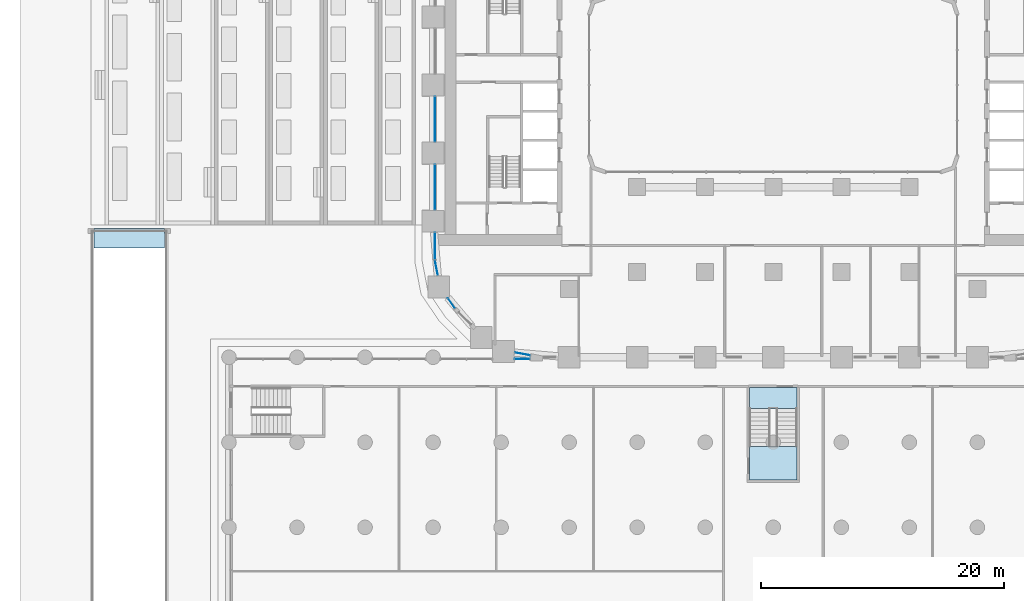
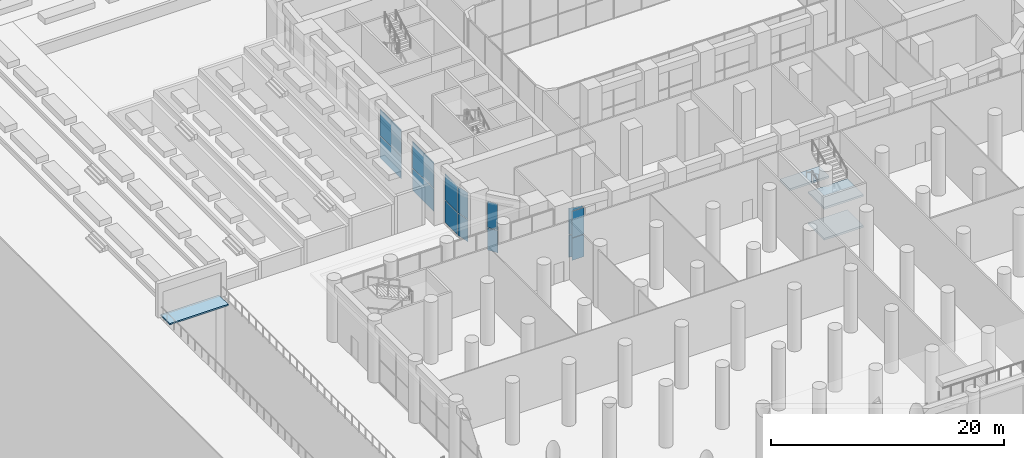
# One storey, part 23 of 51: 14 plates, 4 slabs, 8 elements without a shape of their own.
"""IFC4 building model written with IfcOpenShell, lengths in metres."""

import ifcopenshell
import ifcopenshell.guid

model = None  # the IFC model being written
_history = None  # IfcOwnerHistory: only IFC2X3 demands one
_inside = {}  # id of a spatial element -> (the spatial element, [elements in it])
_under = {}  # id of a project, library or spatial element -> (it, [spatial elements below it])
_declared = {}  # id of a project -> (the project, [libraries it declares])
_typed = {}  # id of a type object -> (the type object, [elements of that type])
_made_of = {}  # id of a material, layer set ... -> (it, [elements and type objects made of it])


def new_model(schema):
    """Start an empty IFC model of exactly this schema.

    Asked for "IFC4X3", IfcOpenShell would pick the latest addendum, in which some entities
    have other attributes; the version numbers below select the first issue.
    IFC2X3 requires an IfcOwnerHistory on every rooted entity: one is made here for all.
    """
    global model, _history
    if schema == "IFC4X3":
        model = ifcopenshell.file(schema_version=(4, 3, 0, 0))
    else:
        model = ifcopenshell.file(schema=schema)
    _inside.clear()
    _under.clear()
    _declared.clear()
    _typed.clear()
    _made_of.clear()
    _history = None
    if model.schema == "IFC2X3":
        org = make("IfcOrganization", Name="unknown")
        user = make(
            "IfcPersonAndOrganization",
            ThePerson=make("IfcPerson", FamilyName="unknown"),
            TheOrganization=org,
        )
        app = make(
            "IfcApplication",
            ApplicationDeveloper=org,
            Version="unknown",
            ApplicationFullName="unknown",
            ApplicationIdentifier="unknown",
        )
        _history = make(
            "IfcOwnerHistory",
            OwningUser=user,
            OwningApplication=app,
            ChangeAction="ADDED",
            CreationDate=0,
        )
    return model


def make(cls, **values):
    """One entity of the class cls with the attributes given. An attribute that is None is left unset."""
    return model.create_entity(
        cls, **{name: value for name, value in values.items() if value is not None}
    )


def rooted(cls, **values):
    """An entity with a GlobalId (a new one), such as an element, a storey or a relation."""
    return make(cls, GlobalId=ifcopenshell.guid.new(), OwnerHistory=_history, **values)


def si_unit(unit_type, name, prefix=None):
    """IfcSIUnit, for example si_unit("LENGTHUNIT", "METRE", prefix="MILLI")."""
    return make("IfcSIUnit", UnitType=unit_type, Prefix=prefix, Name=name)


def assignment(units):
    """IfcUnitAssignment: the units of a project."""
    return None if units is None else make("IfcUnitAssignment", Units=units)


def point(xyz):
    """IfcCartesianPoint."""
    return None if xyz is None else make("IfcCartesianPoint", Coordinates=xyz)


def direction(xyz):
    """IfcDirection."""
    return None if xyz is None else make("IfcDirection", DirectionRatios=xyz)


def frame(location, z_axis=None, x_axis=None):
    """IfcAxis2Placement3D, a coordinate frame: its origin and axes. An axis left out is left unset."""
    return make(
        "IfcAxis2Placement3D",
        Location=point(location),
        Axis=direction(z_axis),
        RefDirection=direction(x_axis),
    )


def frame_2d(location, x_axis=None):
    """IfcAxis2Placement2D, a coordinate frame in the plane: its origin and x axis."""
    return make(
        "IfcAxis2Placement2D", Location=point(location), RefDirection=direction(x_axis)
    )


def origin():
    """The frame at (0, 0, 0) with its axes left unset."""
    return frame((0.0, 0.0, 0.0))


def origin_2d():
    """The frame at (0, 0) in the plane with its x axis left unset."""
    return frame_2d((0.0, 0.0))


def place(relative_to, where):
    """IfcLocalPlacement: puts the frame where relative to a parent placement (None: the world)."""
    return make(
        "IfcLocalPlacement", PlacementRelTo=relative_to, RelativePlacement=where
    )


def context(
    kind, dimensions, precision=None, world=None, true_north=None, identifier=None
):
    """IfcGeometricRepresentationContext, for example the 3D "Model" context."""
    return make(
        "IfcGeometricRepresentationContext",
        ContextIdentifier=identifier,
        ContextType=kind,
        CoordinateSpaceDimension=dimensions,
        Precision=precision,
        WorldCoordinateSystem=world,
        TrueNorth=true_north,
    )


def subcontext(parent, identifier, kind, view, scale=None):
    """IfcGeometricRepresentationSubContext, for example "Body" below "Model"."""
    return make(
        "IfcGeometricRepresentationSubContext",
        ContextIdentifier=identifier,
        ContextType=kind,
        ParentContext=parent,
        TargetScale=scale,
        TargetView=view,
    )


def project(units=None, contexts=None):
    """IfcProject with its units and contexts."""
    return rooted(
        "IfcProject",
        Name="project",
        RepresentationContexts=contexts,
        UnitsInContext=assignment(units),
    )


def spatial(cls, under=None, at=None, **own):
    """A site, building, storey or space (cls), placed at a placement, below another one or the project."""
    s = rooted(cls, ObjectPlacement=at, **own)
    if under is not None:
        _under.setdefault(under.id(), (under, []))[1].append(s)
    return s


def polyline(points):
    """IfcPolyline through the points."""
    return make("IfcPolyline", Points=[point(p) for p in points])


def profile(cls, at=None, kind="AREA", **sizes):
    """A parametric profile (cls). Its sizes go by their IFC names, for example OverallWidth=200.0."""
    return make(cls, ProfileType=kind, Position=at, **sizes)


def rectangle(**sizes):
    """IfcRectangleProfileDef."""
    return profile("IfcRectangleProfileDef", **sizes)


def outline(outer, holes=None, kind="AREA"):
    """IfcArbitraryClosedProfileDef: a profile drawn as a closed curve; with holes, ...WithVoids."""
    if holes is None:
        return make("IfcArbitraryClosedProfileDef", ProfileType=kind, OuterCurve=outer)
    return make(
        "IfcArbitraryProfileDefWithVoids",
        ProfileType=kind,
        OuterCurve=outer,
        InnerCurves=holes,
    )


def extrude(swept, where, along, depth):
    """IfcExtrudedAreaSolid: the profile swept, set in the frame where, extruded along a direction by depth."""
    return make(
        "IfcExtrudedAreaSolid",
        SweptArea=swept,
        Position=where,
        ExtrudedDirection=direction(along),
        Depth=depth,
    )


def shape(context_of_items, identifier, shape_type, items):
    """IfcShapeRepresentation: the items that make up one representation, for example the "Body"."""
    return make(
        "IfcShapeRepresentation",
        ContextOfItems=context_of_items,
        RepresentationIdentifier=identifier,
        RepresentationType=shape_type,
        Items=items,
    )


def material(Name=None, Category=None):
    """IfcMaterial."""
    return make("IfcMaterial", Name=Name, Category=Category)


def layer(
    of_material, thickness, ventilated=None, Name=None, Category=None, Priority=None
):
    """IfcMaterialLayer: one layer of a wall or slab, of a material (None: an air gap)."""
    return make(
        "IfcMaterialLayer",
        Material=of_material,
        LayerThickness=thickness,
        IsVentilated=ventilated,
        Name=Name,
        Category=Category,
        Priority=Priority,
    )


def layer_set(layers, Name=None):
    """IfcMaterialLayerSet."""
    return make("IfcMaterialLayerSet", MaterialLayers=layers, LayerSetName=Name)


def made_of(thing, what):
    """Note that an element or type object is made of a material, layer set ...; save() writes the relation."""
    if what is not None:
        _made_of.setdefault(what.id(), (what, []))[1].append(thing)
    return thing


def type_object(cls, material=None, **own):
    """A type object (cls), such as IfcWallType, which elements share."""
    return made_of(rooted(cls, **own), material)


def element(
    cls,
    number,
    at=None,
    inside=None,
    cuts=None,
    type_object=None,
    material=None,
    context=None,
    identifier="Body",
    shape_type=None,
    held_by="IfcProductDefinitionShape",
    body=None,
    shapes=None,
    **own,
):
    """One element of the class cls, such as IfcWall. Its Tag is "e" and its number.

    at: its placement. inside: the storey or other place that contains it. cuts: it is an
    opening in that element (IfcRelVoidsElement). A single representation is given by context,
    identifier, shape_type and body (its items); several are given by shapes. held_by: the class
    of the entity that holds the representations. save() writes the other relations.
    """
    e = rooted(cls, Tag="e%d" % number, ObjectPlacement=at, **own)
    if body is not None:
        shapes = [shape(context, identifier, shape_type, body)]
    if shapes is not None:
        e.Representation = make(held_by, Representations=shapes)
    if inside is not None:
        _inside.setdefault(inside.id(), (inside, []))[1].append(e)
    if cuts is not None:
        rooted(
            "IfcRelVoidsElement", RelatingBuildingElement=cuts, RelatedOpeningElement=e
        )
    if type_object is not None:
        _typed.setdefault(type_object.id(), (type_object, []))[1].append(e)
    return made_of(e, material)


def aggregate(whole, parts):
    """IfcRelAggregates: a whole, such as a stair, and the parts it consists of."""
    return rooted("IfcRelAggregates", RelatingObject=whole, RelatedObjects=parts)


def save(model, path):
    """Write the relations noted so far, then the file.

    IfcRelAggregates (storeys below a building ...), IfcRelContainedInSpatialStructure (elements
    in a storey), IfcRelDefinesByType, IfcRelAssociatesMaterial and IfcRelDeclares: one each for
    every whole, place, type object, material and project.
    """
    for whole, parts in _under.values():
        aggregate(whole, parts)
    for where, things in _inside.values():
        rooted(
            "IfcRelContainedInSpatialStructure",
            RelatedElements=things,
            RelatingStructure=where,
        )
    for kind, things in _typed.values():
        rooted("IfcRelDefinesByType", RelatedObjects=things, RelatingType=kind)
    for what, things in _made_of.values():
        rooted("IfcRelAssociatesMaterial", RelatedObjects=things, RelatingMaterial=what)
    for by, libraries in _declared.values():
        rooted("IfcRelDeclares", RelatingContext=by, RelatedDefinitions=libraries)
    model.write(path)


model = new_model("IFC4")

# Units and contexts
model_context = context("Model", 3, precision=1e-05, world=origin(), true_north=direction((0.0, 1.0)))
body_context = subcontext(model_context, "Body", "Model", "MODEL_VIEW")
ifc_project = project(units=[si_unit("LENGTHUNIT", "METRE"), si_unit("AREAUNIT", "SQUARE_METRE"), si_unit("VOLUMEUNIT", "CUBIC_METRE"), si_unit("PLANEANGLEUNIT", "RADIAN"), si_unit("MASSUNIT", "GRAM", prefix="KILO")], contexts=[model_context])

# Site, building, storey
site_placement = place(None, origin())
site = spatial("IfcSite", under=ifc_project, at=site_placement, CompositionType="ELEMENT")
building_placement = place(site_placement, origin())
building = spatial("IfcBuilding", under=site, at=building_placement, Name="Kiln Ring Residences", CompositionType="ELEMENT")
storey_placement = place(building_placement, origin())
storey = spatial("IfcBuildingStorey", under=building, at=storey_placement, Name="L00", CompositionType="ELEMENT", Elevation=0.0)

# Curtain wall, plates
ifc_material_1 = material(Name="Aluminium and glass", Category="aluminium")
ifc_layer_1 = layer(ifc_material_1, 0.179931640625)
ifc_layer_set_1 = layer_set([ifc_layer_1], Name="CW2 CURTAIN WALL")
curtain_wall_type = type_object("IfcCurtainWallType", Name="CW2 CURTAIN WALL", PredefinedType="NOTDEFINED", material=ifc_layer_set_1)
placement = place(storey_placement, origin())
curtain_wall_1 = element("IfcCurtainWall", 1, at=placement, inside=storey, type_object=curtain_wall_type, Name="Curtain wall CW2 L00", PredefinedType="NOTDEFINED")
ifc_material_2 = material(Name="Glass, clear toughened", Category="glass")
ifc_layer_2 = layer(ifc_material_2, 0.02392578125)
ifc_layer_set_2 = layer_set([ifc_layer_2], Name="CW2 PANEL 24")
plate_type = type_object("IfcPlateType", Name="CW2 PANEL 24", PredefinedType="CURTAIN_PANEL", material=ifc_layer_set_2)
plate_1_placement = place(storey_placement, frame((-27.85009765625, -2.800048828125, 0.0498046875), z_axis=(0.0, 0.0, 1.0), x_axis=(0.0, -1.0, 0.0)))
plate_1 = element("IfcPlate", 2, at=plate_1_placement, type_object=plate_type, Name="CW2 panel 1.1", PredefinedType="CURTAIN_PANEL", context=body_context, shape_type="SweptSolid", body=[
    extrude(rectangle(XDim=3.699951171875, YDim=0.02392578125, at=origin_2d()), origin(), (0.0, 0.0, 1.0), 2.324951171875),
])
plate_2_placement = place(storey_placement, frame((-27.85009765625, -2.800048828125, 2.425048828125), z_axis=(0.0, 0.0, 1.0), x_axis=(0.0, -1.0, 0.0)))
plate_2 = element("IfcPlate", 3, at=plate_2_placement, type_object=plate_type, Name="CW2 panel 1.2", PredefinedType="CURTAIN_PANEL", context=body_context, shape_type="SweptSolid", body=[
    extrude(rectangle(XDim=3.699951171875, YDim=0.02392578125, at=origin_2d()), origin(), (0.0, 0.0, 1.0), 2.77490234375),
])
aggregate(curtain_wall_1, [plate_1, plate_2])

curtain_wall_2 = element("IfcCurtainWall", 4, at=placement, inside=storey, type_object=curtain_wall_type, Name="Curtain wall CW2 L00", PredefinedType="NOTDEFINED")
plate_3_placement = place(storey_placement, frame((-27.85009765625, -8.39990234375, 0.0498046875), z_axis=(0.0, 0.0, 1.0), x_axis=(0.0, -1.0, 0.0)))
plate_3 = element("IfcPlate", 5, at=plate_3_placement, type_object=plate_type, Name="CW2 panel 1.1", PredefinedType="CURTAIN_PANEL", context=body_context, shape_type="SweptSolid", body=[
    extrude(rectangle(XDim=3.699951171875, YDim=0.02392578125, at=origin_2d()), origin(), (0.0, 0.0, 1.0), 2.324951171875),
])
plate_4_placement = place(storey_placement, frame((-27.85009765625, -8.39990234375, 2.425048828125), z_axis=(0.0, 0.0, 1.0), x_axis=(0.0, -1.0, 0.0)))
plate_4 = element("IfcPlate", 6, at=plate_4_placement, type_object=plate_type, Name="CW2 panel 1.2", PredefinedType="CURTAIN_PANEL", context=body_context, shape_type="SweptSolid", body=[
    extrude(rectangle(XDim=3.699951171875, YDim=0.02392578125, at=origin_2d()), origin(), (0.0, 0.0, 1.0), 2.77490234375),
])
aggregate(curtain_wall_2, [plate_3, plate_4])

curtain_wall_3 = element("IfcCurtainWall", 7, at=placement, inside=storey, type_object=curtain_wall_type, Name="Curtain wall CW2 L00", PredefinedType="NOTDEFINED")
plate_5_placement = place(storey_placement, frame((-27.85009765625, -13.25, 0.0498046875), z_axis=(0.0, 0.0, 1.0), x_axis=(0.0, -1.0, 0.0)))
plate_5 = element("IfcPlate", 8, at=plate_5_placement, type_object=plate_type, Name="CW2 panel 1.1", PredefinedType="CURTAIN_PANEL", context=body_context, shape_type="SweptSolid", body=[
    extrude(rectangle(XDim=2.199951171875, YDim=0.02392578125, at=origin_2d()), origin(), (0.0, 0.0, 1.0), 2.324951171875),
])
plate_6_placement = place(storey_placement, frame((-27.85009765625, -13.25, 2.425048828125), z_axis=(0.0, 0.0, 1.0), x_axis=(0.0, -1.0, 0.0)))
plate_6 = element("IfcPlate", 9, at=plate_6_placement, type_object=plate_type, Name="CW2 panel 1.2", PredefinedType="CURTAIN_PANEL", context=body_context, shape_type="SweptSolid", body=[
    extrude(rectangle(XDim=2.199951171875, YDim=0.02392578125, at=origin_2d()), origin(), (0.0, 0.0, 1.0), 2.77490234375),
])
aggregate(curtain_wall_3, [plate_5, plate_6])

curtain_wall_4 = element("IfcCurtainWall", 10, at=placement, inside=storey, type_object=curtain_wall_type, Name="Curtain wall CW2 L00", PredefinedType="NOTDEFINED")
plate_7_placement = place(storey_placement, frame((-27.7255859375, -15.037841796875, 0.0498046875), z_axis=(0.0, 0.0, 1.0), x_axis=(0.187365550279, -0.9822902578, 0.0)))
plate_7 = element("IfcPlate", 11, at=plate_7_placement, type_object=plate_type, Name="CW2 panel 1.1", PredefinedType="CURTAIN_PANEL", context=body_context, shape_type="SweptSolid", body=[
    extrude(rectangle(XDim=1.256103515625, YDim=0.02392578125, at=origin_2d()), origin(), (0.0, 0.0, 1.0), 2.324951171875),
])
plate_8_placement = place(storey_placement, frame((-27.7255859375, -15.037841796875, 2.425048828125), z_axis=(0.0, 0.0, 1.0), x_axis=(0.187365550279, -0.9822902578, 0.0)))
plate_8 = element("IfcPlate", 12, at=plate_8_placement, type_object=plate_type, Name="CW2 panel 1.2", PredefinedType="CURTAIN_PANEL", context=body_context, shape_type="SweptSolid", body=[
    extrude(rectangle(XDim=1.256103515625, YDim=0.02392578125, at=origin_2d()), origin(), (0.0, 0.0, 1.0), 2.77490234375),
])
aggregate(curtain_wall_4, [plate_7, plate_8])

curtain_wall_5 = element("IfcCurtainWall", 13, at=placement, inside=storey, type_object=curtain_wall_type, Name="Curtain wall CW2 L00", PredefinedType="NOTDEFINED")
plate_9_placement = place(storey_placement, frame((-26.486083984375, -17.960693359375, 0.0498046875), z_axis=(0.0, 0.0, 1.0), x_axis=(0.562096651308, -0.827071553488, 0.0)))
plate_9 = element("IfcPlate", 14, at=plate_9_placement, type_object=plate_type, Name="CW2 panel 1.1", PredefinedType="CURTAIN_PANEL", context=body_context, shape_type="SweptSolid", body=[
    extrude(rectangle(XDim=0.9931640625, YDim=0.02392578125, at=origin_2d()), origin(), (0.0, 0.0, 1.0), 2.324951171875),
])
plate_10_placement = place(storey_placement, frame((-26.486083984375, -17.960693359375, 2.425048828125), z_axis=(0.0, 0.0, 1.0), x_axis=(0.562096651308, -0.827071553488, 0.0)))
plate_10 = element("IfcPlate", 15, at=plate_10_placement, type_object=plate_type, Name="CW2 panel 1.2", PredefinedType="CURTAIN_PANEL", context=body_context, shape_type="SweptSolid", body=[
    extrude(rectangle(XDim=0.9931640625, YDim=0.02392578125, at=origin_2d()), origin(), (0.0, 0.0, 1.0), 2.77490234375),
])
aggregate(curtain_wall_5, [plate_9, plate_10])

curtain_wall_6 = element("IfcCurtainWall", 16, at=placement, inside=storey, type_object=curtain_wall_type, Name="Curtain wall CW2 L00", PredefinedType="NOTDEFINED")
plate_11_placement = place(storey_placement, frame((-20.637939453125, -22.125732421875, 0.0498046875), z_axis=(0.0, 0.0, 1.0), x_axis=(0.9822902578, -0.187365550279, 0.0)))
plate_11 = element("IfcPlate", 17, at=plate_11_placement, type_object=plate_type, Name="CW2 panel 1.1", PredefinedType="CURTAIN_PANEL", context=body_context, shape_type="SweptSolid", body=[
    extrude(rectangle(XDim=1.256103515625, YDim=0.02392578125, at=origin_2d()), origin(), (0.0, 0.0, 1.0), 2.324951171875),
])
plate_12_placement = place(storey_placement, frame((-20.637939453125, -22.125732421875, 2.425048828125), z_axis=(0.0, 0.0, 1.0), x_axis=(0.9822902578, -0.187365550279, 0.0)))
plate_12 = element("IfcPlate", 18, at=plate_12_placement, type_object=plate_type, Name="CW2 panel 1.2", PredefinedType="CURTAIN_PANEL", context=body_context, shape_type="SweptSolid", body=[
    extrude(rectangle(XDim=1.256103515625, YDim=0.02392578125, at=origin_2d()), origin(), (0.0, 0.0, 1.0), 2.77490234375),
])
aggregate(curtain_wall_6, [plate_11, plate_12])

curtain_wall_7 = element("IfcCurtainWall", 19, at=placement, inside=storey, type_object=curtain_wall_type, Name="Curtain wall CW2 L00", PredefinedType="NOTDEFINED")
plate_13_placement = place(storey_placement, frame((-20.654296875, -22.550048828125, 0.0498046875), z_axis=(0.0, 0.0, 1.0), x_axis=(-1.0, 0.0, 0.0)))
plate_13 = element("IfcPlate", 20, at=plate_13_placement, type_object=plate_type, Name="CW2 panel 1.1", PredefinedType="CURTAIN_PANEL", context=body_context, shape_type="SweptSolid", body=[
    extrude(rectangle(XDim=1.208740234375, YDim=0.02392578125, at=origin_2d()), origin(), (0.0, 0.0, 1.0), 2.324951171875),
])
plate_14_placement = place(storey_placement, frame((-20.654296875, -22.550048828125, 2.425048828125), z_axis=(0.0, 0.0, 1.0), x_axis=(-1.0, 0.0, 0.0)))
plate_14 = element("IfcPlate", 21, at=plate_14_placement, type_object=plate_type, Name="CW2 panel 1.2", PredefinedType="CURTAIN_PANEL", context=body_context, shape_type="SweptSolid", body=[
    extrude(rectangle(XDim=1.208740234375, YDim=0.02392578125, at=origin_2d()), origin(), (0.0, 0.0, 1.0), 2.77490234375),
])
aggregate(curtain_wall_7, [plate_13, plate_14])

# Slab
ifc_material_3 = material(Name="Concrete paving C30/37", Category="concrete")
ifc_layer_3 = layer(ifc_material_3, 0.14990234375)
ifc_layer_set_3 = layer_set([ifc_layer_3], Name="PAVING 150 SITE")
slab_type_1 = type_object("IfcSlabType", Name="PAVING 150 SITE", PredefinedType="USERDEFINED", material=ifc_layer_set_3)
slab_1_placement = place(storey_placement, frame((0.0, 0.0, -0.14990234375)))
element("IfcSlab", 22, at=slab_1_placement, inside=storey, type_object=slab_type_1, Name="Car park driveway paving", ObjectType="PAVING", PredefinedType="USERDEFINED", context=body_context, shape_type="SweptSolid", body=[
    extrude(outline(polyline([(-55.89990234375, -13.39990234375), (-50.10009765625, -13.39990234375), (-50.10009765625, -11.800048828125), (-55.89990234375, -11.800048828125), (-55.89990234375, -13.39990234375)])), origin(), (0.0, 0.0, 1.0), 0.14990234375),
])

# Stair, slabs
ifc_material_4 = material(Name="Concrete C40/50", Category="concrete")
stair_type = type_object("IfcStairType", Name="PODIUM-STAIR", PredefinedType="HALF_TURN_STAIR", material=ifc_material_4)
stair = element("IfcStair", 23, at=placement, inside=storey, type_object=stair_type, Name="L00 exit stair PS-C", PredefinedType="HALF_TURN_STAIR")
ifc_material_5 = material(Name="Concrete C40/50", Category="concrete")
ifc_layer_4 = layer(ifc_material_5, 0.199951171875)
ifc_layer_set_4 = layer_set([ifc_layer_4], Name="PODIUM-STAIR-LANDING")
slab_type_2 = type_object("IfcSlabType", Name="PODIUM-STAIR-LANDING", PredefinedType="LANDING", material=ifc_layer_set_4)
slab_2_placement = place(storey_placement, frame((0.0, 0.0, 1.425048828125)))
slab_2 = element("IfcSlab", 24, at=slab_2_placement, type_object=slab_type_2, Name="PS-C landing 1", PredefinedType="LANDING", context=body_context, shape_type="SweptSolid", body=[
    extrude(outline(polyline([(-1.949951171875, -29.75), (-1.949951171875, -32.5), (1.949951171875, -32.5), (1.949951171875, -29.75), (-1.949951171875, -29.75)])), origin(), (0.0, 0.0, 1.0), 0.199951171875),
])
slab_3_placement = place(storey_placement, frame((0.0, 0.0, 3.050048828125)))
slab_3 = element("IfcSlab", 25, at=slab_3_placement, type_object=slab_type_2, Name="PS-C landing 2", PredefinedType="LANDING", context=body_context, shape_type="SweptSolid", body=[
    extrude(outline(polyline([(-1.949951171875, -24.89990234375), (-1.949951171875, -26.60009765625), (1.949951171875, -26.60009765625), (1.949951171875, -24.89990234375), (-1.949951171875, -24.89990234375)])), origin(), (0.0, 0.0, 1.0), 0.199951171875),
])
slab_4_placement = place(storey_placement, frame((0.0, 0.0, 4.675048828125)))
slab_4 = element("IfcSlab", 26, at=slab_4_placement, type_object=slab_type_2, Name="PS-C landing 3", PredefinedType="LANDING", context=body_context, shape_type="SweptSolid", body=[
    extrude(outline(polyline([(-1.949951171875, -29.75), (-1.949951171875, -32.5), (1.949951171875, -32.5), (1.949951171875, -29.75), (-1.949951171875, -29.75)])), origin(), (0.0, 0.0, 1.0), 0.199951171875),
])
aggregate(stair, [slab_2, slab_3, slab_4])

save(model, "model.ifc")
